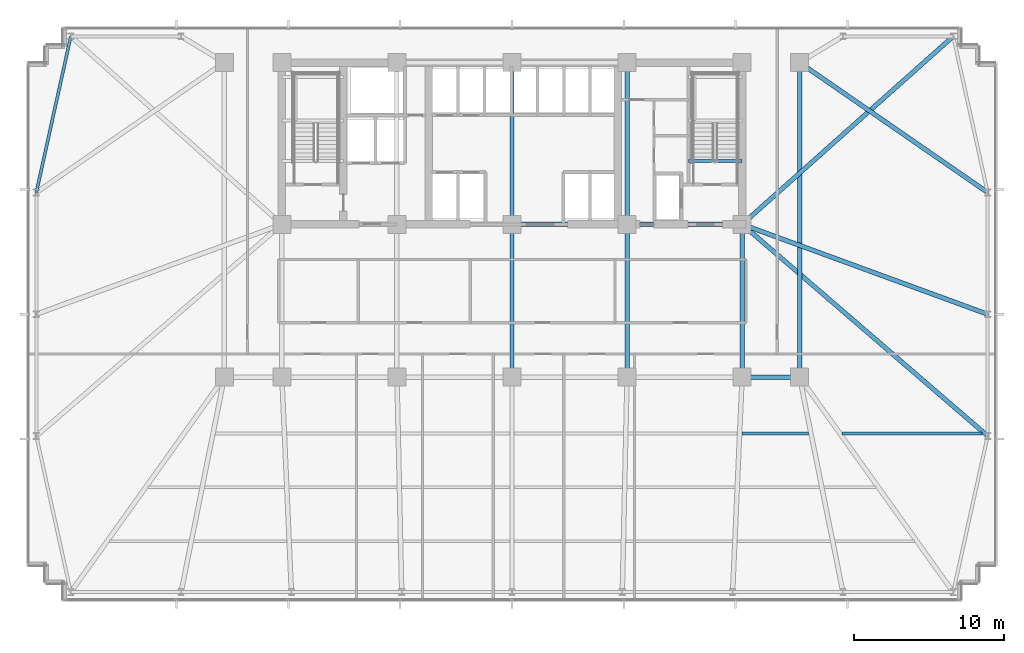
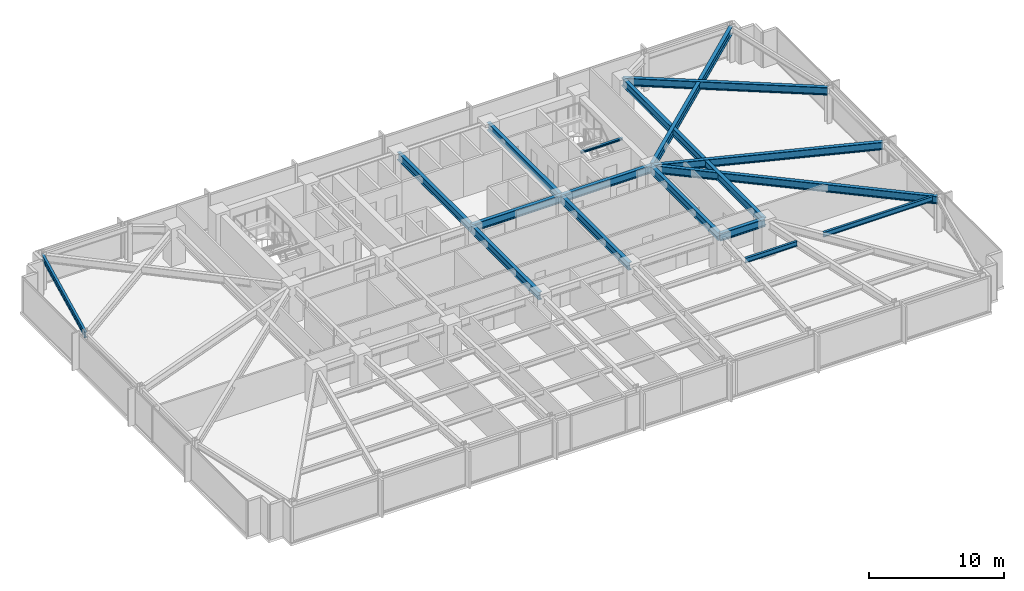
# One storey, part 16 of 32: 17 beams.
"""IFC4 building model written with IfcOpenShell, lengths in metres."""

from ifc_helpers import new_model, si_unit, direction, frame, origin, origin_2d, place, context, subcontext, project, spatial, i_section, extrude, material, material_profile, profile_set, type_object, element, save


model = new_model("IFC4")

# Units and contexts
model_context = context("Model", 3, precision=1e-05, world=origin(), true_north=direction((0.0, 1.0)))
body_context = subcontext(model_context, "Body", "Model", "MODEL_VIEW")
ifc_project = project(units=[si_unit("LENGTHUNIT", "METRE"), si_unit("AREAUNIT", "SQUARE_METRE"), si_unit("VOLUMEUNIT", "CUBIC_METRE"), si_unit("PLANEANGLEUNIT", "RADIAN"), si_unit("MASSUNIT", "GRAM", prefix="KILO")], contexts=[model_context])

# Site, building, storey
site_placement = place(None, origin())
site = spatial("IfcSite", under=ifc_project, at=site_placement, CompositionType="ELEMENT")
building_placement = place(site_placement, origin())
building = spatial("IfcBuilding", under=site, at=building_placement, Name="Yelkora Congress Tower", CompositionType="ELEMENT")
storey_placement = place(building_placement, frame((0.0, 0.0, 61.0)))
storey = spatial("IfcBuildingStorey", under=building, at=storey_placement, Name="L15", CompositionType="ELEMENT", Elevation=61.0)

# Beams
ifc_material = material(Name="Steel S355J2", Category="steel")
ifc_material_profile_1 = material_profile(ifc_material, i_section(OverallWidth=0.300048828125, OverallDepth=0.699951171875, WebThickness=0.01708984375, FlangeThickness=0.031982421875, FilletRadius=0.027099609375, at=origin_2d()), Name="HEB 700")
ifc_profile_set_1 = profile_set([ifc_material_profile_1], Name="Steel S355J2")
beam_type_1 = type_object("IfcBeamType", Name="BM-GIRD-HEB700", PredefinedType="BEAM", material=ifc_profile_set_1)
beam_1_placement = place(storey_placement, frame((53.760009765625, 25.199951171875, 2.830078125), z_axis=(1.0, 0.0, 0.0), x_axis=(0.0, 1.0, 0.0)))
element("IfcBeam", 1, at=beam_1_placement, inside=storey, type_object=beam_type_1, Name="L15 Spine Grid D Girder 6", PredefinedType="BEAM", context=body_context, shape_type="SweptSolid", body=[
    extrude(i_section(OverallWidth=0.300048828125, OverallDepth=0.699951171875, WebThickness=0.01708984375, FlangeThickness=0.031982421875, FilletRadius=0.027099609375, at=origin_2d()), origin(), (0.0, 0.0, 1.0), 3.840087890625),
])
beam_2_placement = place(storey_placement, frame((38.39990234375, 35.39990234375, 2.830078125), z_axis=(1.0, 0.0, 0.0), x_axis=(0.0, 1.0, 0.0)))
element("IfcBeam", 2, at=beam_2_placement, inside=storey, type_object=beam_type_1, Name="L15 Core South Girder 3", PredefinedType="BEAM", context=body_context, shape_type="SweptSolid", body=[
    extrude(i_section(OverallWidth=0.300048828125, OverallDepth=0.699951171875, WebThickness=0.01708984375, FlangeThickness=0.031982421875, FilletRadius=0.027099609375, at=origin_2d()), origin(), (0.0, 0.0, 1.0), 7.68017578125),
])
beam_3_placement = place(storey_placement, frame((46.080078125, 35.39990234375, 2.830078125), z_axis=(1.0, 0.0, 0.0), x_axis=(0.0, 1.0, 0.0)))
element("IfcBeam", 3, at=beam_3_placement, inside=storey, type_object=beam_type_1, Name="L15 Core South Girder 4", PredefinedType="BEAM", context=body_context, shape_type="SweptSolid", body=[
    extrude(i_section(OverallWidth=0.300048828125, OverallDepth=0.699951171875, WebThickness=0.01708984375, FlangeThickness=0.031982421875, FilletRadius=0.027099609375, at=origin_2d()), origin(), (0.0, 0.0, 1.0), 7.679931640625),
])
beam_4_placement = place(storey_placement, frame((38.39990234375, 25.199951171875, 2.830078125), z_axis=(0.0, 1.0, 0.0), x_axis=(-1.0, 0.0, 0.0)))
element("IfcBeam", 4, at=beam_4_placement, inside=storey, type_object=beam_type_1, Name="L15 Core Tie Girder MC-D3", PredefinedType="BEAM", context=body_context, shape_type="SweptSolid", body=[
    extrude(i_section(OverallWidth=0.300048828125, OverallDepth=0.699951171875, WebThickness=0.01708984375, FlangeThickness=0.031982421875, FilletRadius=0.027099609375, at=origin_2d()), origin(), (0.0, 0.0, 1.0), 10.199951171875),
])
beam_5_placement = place(storey_placement, frame((38.39990234375, 35.39990234375, 2.830078125), z_axis=(0.0, 1.0, 0.0), x_axis=(-1.0, 0.0, 0.0)))
element("IfcBeam", 5, at=beam_5_placement, inside=storey, type_object=beam_type_1, Name="L15 Core Tie Girder MC-S3", PredefinedType="BEAM", context=body_context, shape_type="SweptSolid", body=[
    extrude(i_section(OverallWidth=0.300048828125, OverallDepth=0.699951171875, WebThickness=0.01708984375, FlangeThickness=0.031982421875, FilletRadius=0.027099609375, at=origin_2d()), origin(), (0.0, 0.0, 1.0), 10.800048828125),
])
beam_6_placement = place(storey_placement, frame((46.080078125, 25.199951171875, 2.830078125), z_axis=(0.0, 1.0, 0.0), x_axis=(-1.0, 0.0, 0.0)))
element("IfcBeam", 6, at=beam_6_placement, inside=storey, type_object=beam_type_1, Name="L15 Core Tie Girder MC-D4", PredefinedType="BEAM", context=body_context, shape_type="SweptSolid", body=[
    extrude(i_section(OverallWidth=0.300048828125, OverallDepth=0.699951171875, WebThickness=0.01708984375, FlangeThickness=0.031982421875, FilletRadius=0.027099609375, at=origin_2d()), origin(), (0.0, 0.0, 1.0), 10.199951171875),
])
beam_7_placement = place(storey_placement, frame((46.080078125, 35.39990234375, 2.830078125), z_axis=(0.0, 1.0, 0.0), x_axis=(-1.0, 0.0, 0.0)))
element("IfcBeam", 7, at=beam_7_placement, inside=storey, type_object=beam_type_1, Name="L15 Core Tie Girder MC-S4", PredefinedType="BEAM", context=body_context, shape_type="SweptSolid", body=[
    extrude(i_section(OverallWidth=0.300048828125, OverallDepth=0.699951171875, WebThickness=0.01708984375, FlangeThickness=0.031982421875, FilletRadius=0.027099609375, at=origin_2d()), origin(), (0.0, 0.0, 1.0), 10.800048828125),
])
beam_8_placement = place(storey_placement, frame((53.760009765625, 25.199951171875, 2.830078125), z_axis=(0.0, 1.0, 0.0), x_axis=(-1.0, 0.0, 0.0)))
element("IfcBeam", 8, at=beam_8_placement, inside=storey, type_object=beam_type_1, Name="L15 Core Tie Girder MC-D5", PredefinedType="BEAM", context=body_context, shape_type="SweptSolid", body=[
    extrude(i_section(OverallWidth=0.300048828125, OverallDepth=0.699951171875, WebThickness=0.01708984375, FlangeThickness=0.031982421875, FilletRadius=0.027099609375, at=origin_2d()), origin(), (0.0, 0.0, 1.0), 10.199951171875),
])
beam_9_placement = place(storey_placement, frame((57.60009765625, 25.199951171875, 2.830078125), z_axis=(0.0, 1.0, 0.0), x_axis=(-1.0, 0.0, 0.0)))
element("IfcBeam", 9, at=beam_9_placement, inside=storey, type_object=beam_type_1, Name="L15 Neck Flank Girder MC-F2", PredefinedType="BEAM", context=body_context, shape_type="SweptSolid", body=[
    extrude(i_section(OverallWidth=0.300048828125, OverallDepth=0.699951171875, WebThickness=0.01708984375, FlangeThickness=0.031982421875, FilletRadius=0.027099609375, at=origin_2d()), origin(), (0.0, 0.0, 1.0), 21.0),
])
beam_10_placement = place(storey_placement, frame((67.85009765625, 47.949951171875, 2.830078125), z_axis=(-0.746737189621, -0.665119214605, 0.0), x_axis=(0.665119214605, -0.746737189621, 0.0)))
element("IfcBeam", 10, at=beam_10_placement, inside=storey, type_object=beam_type_1, Name="L15 Primary Frame Girder N09", PredefinedType="BEAM", context=body_context, shape_type="SweptSolid", body=[
    extrude(i_section(OverallWidth=0.300048828125, OverallDepth=0.699951171875, WebThickness=0.01708984375, FlangeThickness=0.031982421875, FilletRadius=0.027099609375, at=origin_2d()), origin(), (0.0, 0.0, 1.0), 18.868896484375),
])
beam_11_placement = place(storey_placement, frame((70.14990234375, 21.27490234375, 2.830078125), z_axis=(-0.757506357109, 0.652827786586, 0.0), x_axis=(-0.652827786586, -0.757506357109, 0.0)))
element("IfcBeam", 11, at=beam_11_placement, inside=storey, type_object=beam_type_1, Name="L15 Primary Frame Girder E01", PredefinedType="BEAM", context=body_context, shape_type="SweptSolid", body=[
    extrude(i_section(OverallWidth=0.300048828125, OverallDepth=0.699951171875, WebThickness=0.01708984375, FlangeThickness=0.031982421875, FilletRadius=0.027099609375, at=origin_2d()), origin(), (0.0, 0.0, 1.0), 21.63671875),
])
beam_12_placement = place(storey_placement, frame((70.14990234375, 29.39990234375, 2.830078125), z_axis=(-0.939054471542, 0.343768380567, 0.0), x_axis=(-0.343768380567, -0.939054471542, 0.0)))
element("IfcBeam", 12, at=beam_12_placement, inside=storey, type_object=beam_type_1, Name="L15 Primary Frame Girder E02", PredefinedType="BEAM", context=body_context, shape_type="SweptSolid", body=[
    extrude(i_section(OverallWidth=0.300048828125, OverallDepth=0.699951171875, WebThickness=0.01708984375, FlangeThickness=0.031982421875, FilletRadius=0.027099609375, at=origin_2d()), origin(), (0.0, 0.0, 1.0), 17.45361328125),
])
beam_13_placement = place(storey_placement, frame((70.14990234375, 37.52490234375, 2.830078125), z_axis=(-0.822599280139, 0.568621512357, 0.0), x_axis=(-0.568621512357, -0.822599280139, 0.0)))
element("IfcBeam", 13, at=beam_13_placement, inside=storey, type_object=beam_type_1, Name="L15 Primary Frame Girder E03", PredefinedType="BEAM", context=body_context, shape_type="SweptSolid", body=[
    extrude(i_section(OverallWidth=0.300048828125, OverallDepth=0.699951171875, WebThickness=0.01708984375, FlangeThickness=0.031982421875, FilletRadius=0.027099609375, at=origin_2d()), origin(), (0.0, 0.0, 1.0), 15.25634765625),
])
ifc_material_profile_2 = material_profile(ifc_material, i_section(OverallWidth=0.18994140625, OverallDepth=0.449951171875, WebThickness=0.009521484375, FlangeThickness=0.0146484375, FilletRadius=0.02099609375, at=origin_2d()), Name="IPE 450")
ifc_profile_set_2 = profile_set([ifc_material_profile_2], Name="Steel S355J2")
beam_type_2 = type_object("IfcBeamType", Name="BM-JOIST-IPE450", PredefinedType="JOIST", material=ifc_profile_set_2)
beam_14_placement = place(storey_placement, frame((53.754150390625, 21.449951171875, 2.955078125), z_axis=(1.0, 0.0, 0.0), x_axis=(0.0, 1.0, 0.0)))
element("IfcBeam", 14, at=beam_14_placement, inside=storey, type_object=beam_type_2, Name="L15 Composite Floor Joist 22", PredefinedType="JOIST", context=body_context, shape_type="SweptSolid", body=[
    extrude(i_section(OverallWidth=0.18994140625, OverallDepth=0.449951171875, WebThickness=0.009521484375, FlangeThickness=0.0146484375, FilletRadius=0.02099609375, at=origin_2d()), origin(), (0.0, 0.0, 1.0), 4.4404296875),
])
beam_15_placement = place(storey_placement, frame((60.438720703125, 21.449951171875, 2.955078125), z_axis=(1.0, 0.0, 0.0), x_axis=(0.0, 1.0, 0.0)))
element("IfcBeam", 15, at=beam_15_placement, inside=storey, type_object=beam_type_2, Name="L15 Composite Floor Joist 23", PredefinedType="JOIST", context=body_context, shape_type="SweptSolid", body=[
    extrude(i_section(OverallWidth=0.18994140625, OverallDepth=0.449951171875, WebThickness=0.009521484375, FlangeThickness=0.0146484375, FilletRadius=0.02099609375, at=origin_2d()), origin(), (0.0, 0.0, 1.0), 9.34814453125),
])
ifc_material_profile_3 = material_profile(ifc_material, i_section(OverallWidth=0.199951171875, OverallDepth=0.18994140625, WebThickness=0.006591796875, FlangeThickness=0.010009765625, FilletRadius=0.01806640625, at=origin_2d()), Name="HEA 200")
ifc_profile_set_3 = profile_set([ifc_material_profile_3], Name="Steel S355J2")
beam_type_3 = type_object("IfcBeamType", Name="BM-LAND-HEA200", PredefinedType="BEAM", material=ifc_profile_set_3)
beam_16_placement = place(storey_placement, frame((50.179931640625, 39.639892578125, 2.947509765625), z_axis=(1.0, 0.0, 0.0), x_axis=(0.0, 1.0, 0.0)))
element("IfcBeam", 16, at=beam_16_placement, inside=storey, type_object=beam_type_3, Name="ST-02 L15 Floor Arrival Stringer Header Beam", PredefinedType="BEAM", context=body_context, shape_type="SweptSolid", body=[
    extrude(i_section(OverallWidth=0.199951171875, OverallDepth=0.18994140625, WebThickness=0.006591796875, FlangeThickness=0.010009765625, FilletRadius=0.01806640625, at=origin_2d()), origin(), (0.0, 0.0, 1.0), 3.580078125),
])
ifc_material_profile_4 = material_profile(ifc_material, i_section(OverallWidth=0.199951171875, OverallDepth=0.5, WebThickness=0.01025390625, FlangeThickness=0.01611328125, FilletRadius=0.02099609375, at=origin_2d()), Name="IPE 500")
ifc_profile_set_4 = profile_set([ifc_material_profile_4], Name="Steel S355J2")
beam_type_4 = type_object("IfcBeamType", Name="BM-SPAN-IPE500", PredefinedType="SPANDREL", material=ifc_profile_set_4)
beam_17_placement = place(storey_placement, frame((8.949951171875, 47.949951171875, 2.929931640625), z_axis=(-0.215445894778, -0.976515778891, 0.0), x_axis=(0.976515778891, -0.215445894778, 0.0)))
element("IfcBeam", 17, at=beam_17_placement, inside=storey, type_object=beam_type_4, Name="L15 Perimeter Beam 17", PredefinedType="SPANDREL", context=body_context, shape_type="SweptSolid", body=[
    extrude(i_section(OverallWidth=0.199951171875, OverallDepth=0.5, WebThickness=0.01025390625, FlangeThickness=0.01611328125, FilletRadius=0.02099609375, at=origin_2d()), origin(), (0.0, 0.0, 1.0), 10.67578125),
])

save(model, "model.ifc")
